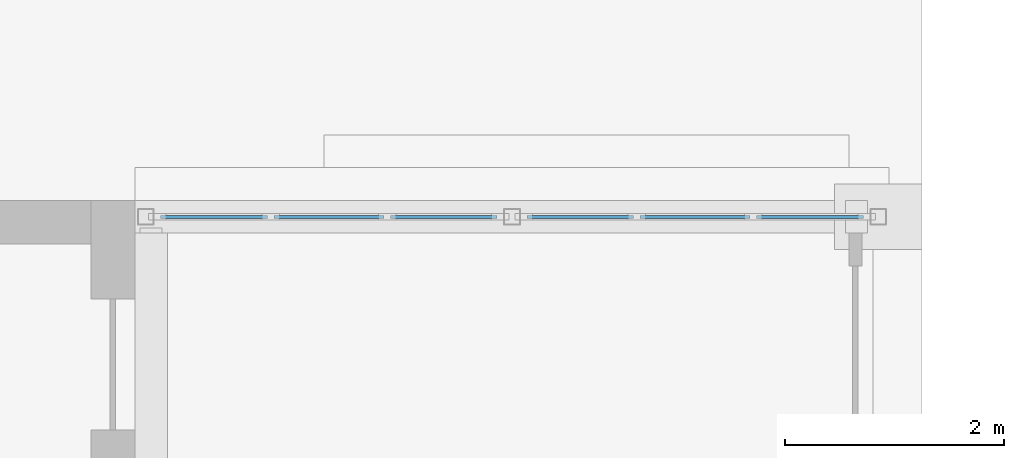
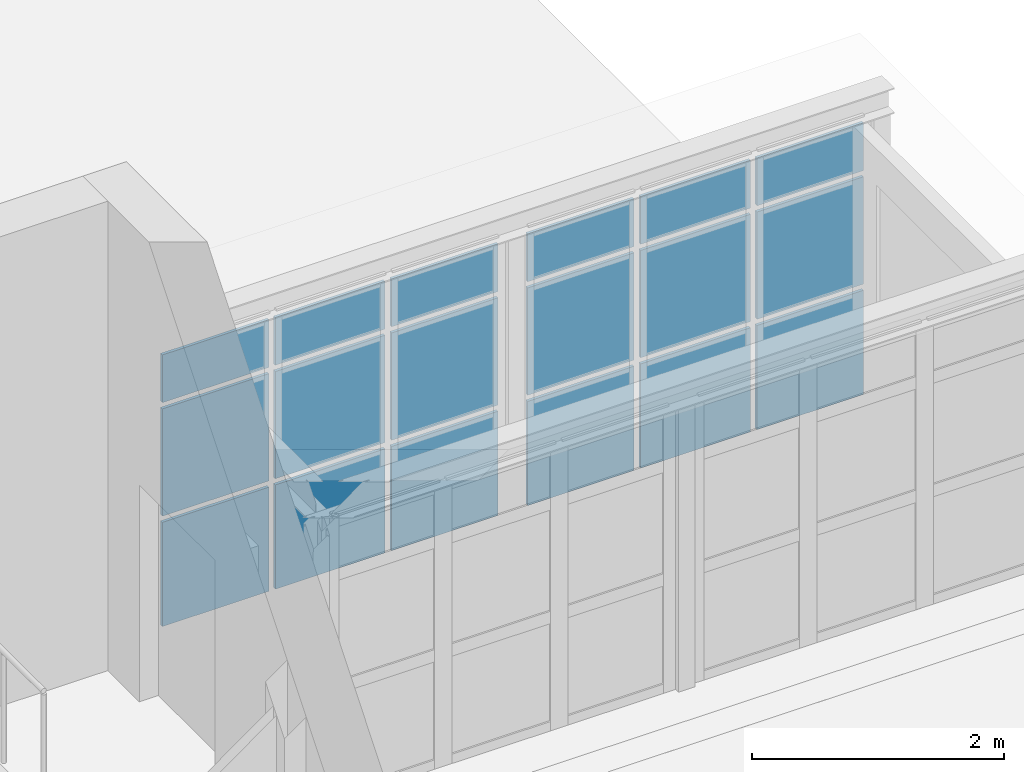
# One storey, part 72 of 131: 18 plates, 2 elements without a shape of their own.
"""IFC4 building model written with IfcOpenShell, lengths in metres."""

from ifc_helpers import new_model, si_unit, direction, frame, origin, origin_2d, place, context, subcontext, project, spatial, rectangle, extrude, material, layer, layer_set, type_object, element, aggregate, save


model = new_model("IFC4")

# Units and contexts
model_context = context("Model", 3, precision=1e-05, world=origin(), true_north=direction((0.0, 1.0)))
body_context = subcontext(model_context, "Body", "Model", "MODEL_VIEW")
ifc_project = project(units=[si_unit("LENGTHUNIT", "METRE"), si_unit("AREAUNIT", "SQUARE_METRE"), si_unit("VOLUMEUNIT", "CUBIC_METRE"), si_unit("PLANEANGLEUNIT", "RADIAN"), si_unit("MASSUNIT", "GRAM", prefix="KILO")], contexts=[model_context])

# Site, building, storey
site_placement = place(None, origin())
site = spatial("IfcSite", under=ifc_project, at=site_placement, CompositionType="ELEMENT")
building_placement = place(site_placement, origin())
building = spatial("IfcBuilding", under=site, at=building_placement, Name="Alderwick Market Hall", CompositionType="ELEMENT")
storey_placement = place(building_placement, frame((0.0, 0.0, 4.800048828125)))
storey = spatial("IfcBuildingStorey", under=building, at=storey_placement, Name="L00", CompositionType="ELEMENT", Elevation=4.800048828125)

# Curtain wall, plates
ifc_material_1 = material(Name="Aluminium frame", Category="aluminium")
ifc_layer_1 = layer(ifc_material_1, 0.10009765625)
ifc_layer_set_1 = layer_set([ifc_layer_1], Name="Aluminium frame")
curtain_wall_type = type_object("IfcCurtainWallType", Name="P Curtain Wall 100", PredefinedType="NOTDEFINED", material=ifc_layer_set_1)
curtain_wall_1_placement = place(storey_placement, origin())
curtain_wall_1 = element("IfcCurtainWall", 1, at=curtain_wall_1_placement, inside=storey, type_object=curtain_wall_type, Name="P.P7.cw.b0", PredefinedType="NOTDEFINED")
ifc_material_2 = material(Name="Glass, low-e insulated glazing", Category="glass")
ifc_layer_2 = layer(ifc_material_2, 0.028076171875)
ifc_layer_set_2 = layer_set([ifc_layer_2], Name="Glass, low-e insulated glazing")
plate_type = type_object("IfcPlateType", Name="P Glass Panel 28", PredefinedType="CURTAIN_PANEL", material=ifc_layer_set_2)
plate_1_placement = place(storey_placement, frame((43.924072265625, 129.449951171875, 0.06005859375), z_axis=(0.0, 0.0, 1.0), x_axis=(1.0, 0.0, 0.0)))
plate_1 = element("IfcPlate", 2, at=plate_1_placement, type_object=plate_type, Name="P-CW7b0 panel 1.1", PredefinedType="CURTAIN_PANEL", context=body_context, shape_type="SweptSolid", body=[
    extrude(rectangle(XDim=0.97607421875, YDim=0.028076171875, at=origin_2d()), origin(), (0.0, 0.0, 1.0), 1.010009765625),
])
plate_2_placement = place(storey_placement, frame((43.924072265625, 129.449951171875, 1.1298828125), z_axis=(0.0, 0.0, 1.0), x_axis=(1.0, 0.0, 0.0)))
plate_2 = element("IfcPlate", 3, at=plate_2_placement, type_object=plate_type, Name="P-CW7b0 panel 1.2", PredefinedType="CURTAIN_PANEL", context=body_context, shape_type="SweptSolid", body=[
    extrude(rectangle(XDim=0.97607421875, YDim=0.028076171875, at=origin_2d()), origin(), (0.0, 0.0, 1.0), 1.0400390625),
])
plate_3_placement = place(storey_placement, frame((43.924072265625, 129.449951171875, 2.22998046875), z_axis=(0.0, 0.0, 1.0), x_axis=(1.0, 0.0, 0.0)))
plate_3 = element("IfcPlate", 4, at=plate_3_placement, type_object=plate_type, Name="P-CW7b0 panel 1.3", PredefinedType="CURTAIN_PANEL", context=body_context, shape_type="SweptSolid", body=[
    extrude(rectangle(XDim=0.97607421875, YDim=0.028076171875, at=origin_2d()), origin(), (0.0, 0.0, 1.0), 0.462890625),
])
plate_4_placement = place(storey_placement, frame((44.97509765625, 129.449951171875, 0.06005859375), z_axis=(0.0, 0.0, 1.0), x_axis=(1.0, 0.0, 0.0)))
plate_4 = element("IfcPlate", 5, at=plate_4_placement, type_object=plate_type, Name="P-CW7b0 panel 2.1", PredefinedType="CURTAIN_PANEL", context=body_context, shape_type="SweptSolid", body=[
    extrude(rectangle(XDim=1.006103515625, YDim=0.028076171875, at=origin_2d()), origin(), (0.0, 0.0, 1.0), 1.010009765625),
])
plate_5_placement = place(storey_placement, frame((44.97509765625, 129.449951171875, 1.1298828125), z_axis=(0.0, 0.0, 1.0), x_axis=(1.0, 0.0, 0.0)))
plate_5 = element("IfcPlate", 6, at=plate_5_placement, type_object=plate_type, Name="P-CW7b0 panel 2.2", PredefinedType="CURTAIN_PANEL", context=body_context, shape_type="SweptSolid", body=[
    extrude(rectangle(XDim=1.006103515625, YDim=0.028076171875, at=origin_2d()), origin(), (0.0, 0.0, 1.0), 1.0400390625),
])
plate_6_placement = place(storey_placement, frame((44.97509765625, 129.449951171875, 2.22998046875), z_axis=(0.0, 0.0, 1.0), x_axis=(1.0, 0.0, 0.0)))
plate_6 = element("IfcPlate", 7, at=plate_6_placement, type_object=plate_type, Name="P-CW7b0 panel 2.3", PredefinedType="CURTAIN_PANEL", context=body_context, shape_type="SweptSolid", body=[
    extrude(rectangle(XDim=1.006103515625, YDim=0.028076171875, at=origin_2d()), origin(), (0.0, 0.0, 1.0), 0.462890625),
])
plate_7_placement = place(storey_placement, frame((46.02587890625, 129.449951171875, 0.06005859375), z_axis=(0.0, 0.0, 1.0), x_axis=(1.0, 0.0, 0.0)))
plate_7 = element("IfcPlate", 8, at=plate_7_placement, type_object=plate_type, Name="P-CW7b0 panel 3.1", PredefinedType="CURTAIN_PANEL", context=body_context, shape_type="SweptSolid", body=[
    extrude(rectangle(XDim=0.97607421875, YDim=0.028076171875, at=origin_2d()), origin(), (0.0, 0.0, 1.0), 1.010009765625),
])
plate_8_placement = place(storey_placement, frame((46.02587890625, 129.449951171875, 1.1298828125), z_axis=(0.0, 0.0, 1.0), x_axis=(1.0, 0.0, 0.0)))
plate_8 = element("IfcPlate", 9, at=plate_8_placement, type_object=plate_type, Name="P-CW7b0 panel 3.2", PredefinedType="CURTAIN_PANEL", context=body_context, shape_type="SweptSolid", body=[
    extrude(rectangle(XDim=0.97607421875, YDim=0.028076171875, at=origin_2d()), origin(), (0.0, 0.0, 1.0), 1.0400390625),
])
plate_9_placement = place(storey_placement, frame((46.02587890625, 129.449951171875, 2.22998046875), z_axis=(0.0, 0.0, 1.0), x_axis=(1.0, 0.0, 0.0)))
plate_9 = element("IfcPlate", 10, at=plate_9_placement, type_object=plate_type, Name="P-CW7b0 panel 3.3", PredefinedType="CURTAIN_PANEL", context=body_context, shape_type="SweptSolid", body=[
    extrude(rectangle(XDim=0.97607421875, YDim=0.028076171875, at=origin_2d()), origin(), (0.0, 0.0, 1.0), 0.462890625),
])
aggregate(curtain_wall_1, [plate_1, plate_2, plate_3, plate_4, plate_5, plate_6, plate_7, plate_8, plate_9])

curtain_wall_2_placement = place(storey_placement, origin())
curtain_wall_2 = element("IfcCurtainWall", 11, at=curtain_wall_2_placement, inside=storey, type_object=curtain_wall_type, Name="P.P7.cw.b1", PredefinedType="NOTDEFINED")
plate_10_placement = place(storey_placement, frame((47.27392578125, 129.449951171875, 0.06005859375), z_axis=(0.0, 0.0, 1.0), x_axis=(1.0, 0.0, 0.0)))
plate_10 = element("IfcPlate", 12, at=plate_10_placement, type_object=plate_type, Name="P-CW7b1 panel 1.1", PredefinedType="CURTAIN_PANEL", context=body_context, shape_type="SweptSolid", body=[
    extrude(rectangle(XDim=0.97607421875, YDim=0.028076171875, at=origin_2d()), origin(), (0.0, 0.0, 1.0), 1.010009765625),
])
plate_11_placement = place(storey_placement, frame((47.27392578125, 129.449951171875, 1.1298828125), z_axis=(0.0, 0.0, 1.0), x_axis=(1.0, 0.0, 0.0)))
plate_11 = element("IfcPlate", 13, at=plate_11_placement, type_object=plate_type, Name="P-CW7b1 panel 1.2", PredefinedType="CURTAIN_PANEL", context=body_context, shape_type="SweptSolid", body=[
    extrude(rectangle(XDim=0.97607421875, YDim=0.028076171875, at=origin_2d()), origin(), (0.0, 0.0, 1.0), 1.0400390625),
])
plate_12_placement = place(storey_placement, frame((47.27392578125, 129.449951171875, 2.22998046875), z_axis=(0.0, 0.0, 1.0), x_axis=(1.0, 0.0, 0.0)))
plate_12 = element("IfcPlate", 14, at=plate_12_placement, type_object=plate_type, Name="P-CW7b1 panel 1.3", PredefinedType="CURTAIN_PANEL", context=body_context, shape_type="SweptSolid", body=[
    extrude(rectangle(XDim=0.97607421875, YDim=0.028076171875, at=origin_2d()), origin(), (0.0, 0.0, 1.0), 0.462890625),
])
plate_13_placement = place(storey_placement, frame((48.324951171875, 129.449951171875, 0.06005859375), z_axis=(0.0, 0.0, 1.0), x_axis=(1.0, 0.0, 0.0)))
plate_13 = element("IfcPlate", 15, at=plate_13_placement, type_object=plate_type, Name="P-CW7b1 panel 2.1", PredefinedType="CURTAIN_PANEL", context=body_context, shape_type="SweptSolid", body=[
    extrude(rectangle(XDim=1.006103515625, YDim=0.028076171875, at=origin_2d()), origin(), (0.0, 0.0, 1.0), 1.010009765625),
])
plate_14_placement = place(storey_placement, frame((48.324951171875, 129.449951171875, 1.1298828125), z_axis=(0.0, 0.0, 1.0), x_axis=(1.0, 0.0, 0.0)))
plate_14 = element("IfcPlate", 16, at=plate_14_placement, type_object=plate_type, Name="P-CW7b1 panel 2.2", PredefinedType="CURTAIN_PANEL", context=body_context, shape_type="SweptSolid", body=[
    extrude(rectangle(XDim=1.006103515625, YDim=0.028076171875, at=origin_2d()), origin(), (0.0, 0.0, 1.0), 1.0400390625),
])
plate_15_placement = place(storey_placement, frame((48.324951171875, 129.449951171875, 2.22998046875), z_axis=(0.0, 0.0, 1.0), x_axis=(1.0, 0.0, 0.0)))
plate_15 = element("IfcPlate", 17, at=plate_15_placement, type_object=plate_type, Name="P-CW7b1 panel 2.3", PredefinedType="CURTAIN_PANEL", context=body_context, shape_type="SweptSolid", body=[
    extrude(rectangle(XDim=1.006103515625, YDim=0.028076171875, at=origin_2d()), origin(), (0.0, 0.0, 1.0), 0.462890625),
])
plate_16_placement = place(storey_placement, frame((49.3759765625, 129.449951171875, 0.06005859375), z_axis=(0.0, 0.0, 1.0), x_axis=(1.0, 0.0, 0.0)))
plate_16 = element("IfcPlate", 18, at=plate_16_placement, type_object=plate_type, Name="P-CW7b1 panel 3.1", PredefinedType="CURTAIN_PANEL", context=body_context, shape_type="SweptSolid", body=[
    extrude(rectangle(XDim=0.97607421875, YDim=0.028076171875, at=origin_2d()), origin(), (0.0, 0.0, 1.0), 1.010009765625),
])
plate_17_placement = place(storey_placement, frame((49.3759765625, 129.449951171875, 1.1298828125), z_axis=(0.0, 0.0, 1.0), x_axis=(1.0, 0.0, 0.0)))
plate_17 = element("IfcPlate", 19, at=plate_17_placement, type_object=plate_type, Name="P-CW7b1 panel 3.2", PredefinedType="CURTAIN_PANEL", context=body_context, shape_type="SweptSolid", body=[
    extrude(rectangle(XDim=0.97607421875, YDim=0.028076171875, at=origin_2d()), origin(), (0.0, 0.0, 1.0), 1.0400390625),
])
plate_18_placement = place(storey_placement, frame((49.3759765625, 129.449951171875, 2.22998046875), z_axis=(0.0, 0.0, 1.0), x_axis=(1.0, 0.0, 0.0)))
plate_18 = element("IfcPlate", 20, at=plate_18_placement, type_object=plate_type, Name="P-CW7b1 panel 3.3", PredefinedType="CURTAIN_PANEL", context=body_context, shape_type="SweptSolid", body=[
    extrude(rectangle(XDim=0.97607421875, YDim=0.028076171875, at=origin_2d()), origin(), (0.0, 0.0, 1.0), 0.462890625),
])
aggregate(curtain_wall_2, [plate_10, plate_11, plate_12, plate_13, plate_14, plate_15, plate_16, plate_17, plate_18])

save(model, "model.ifc")
